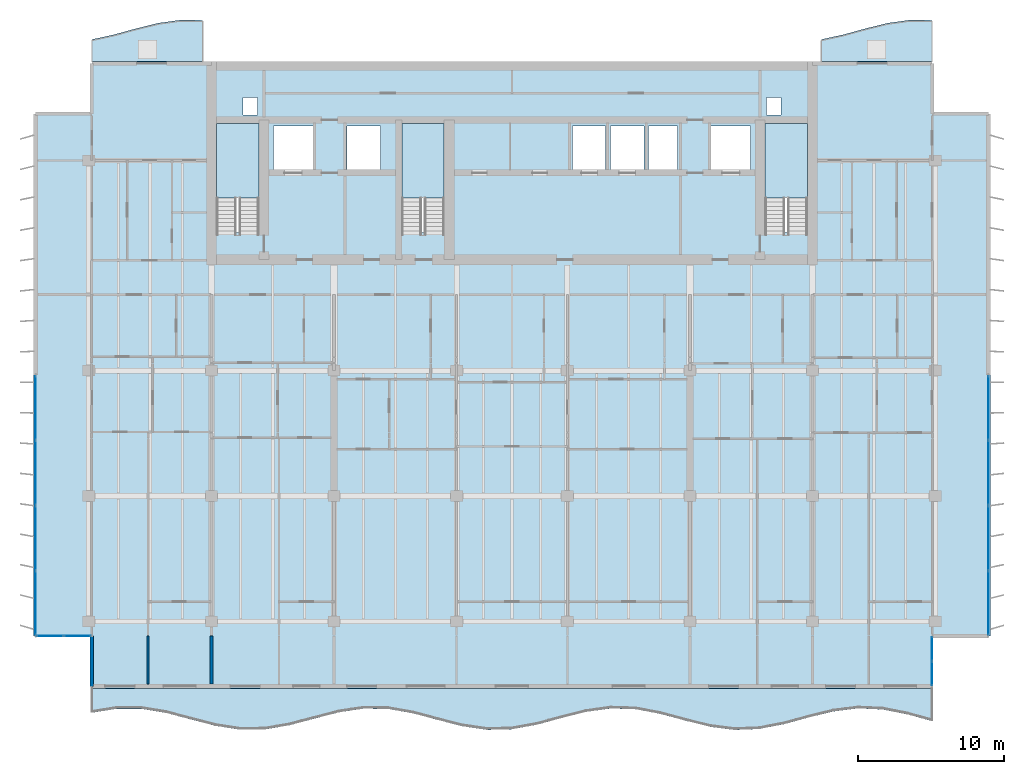
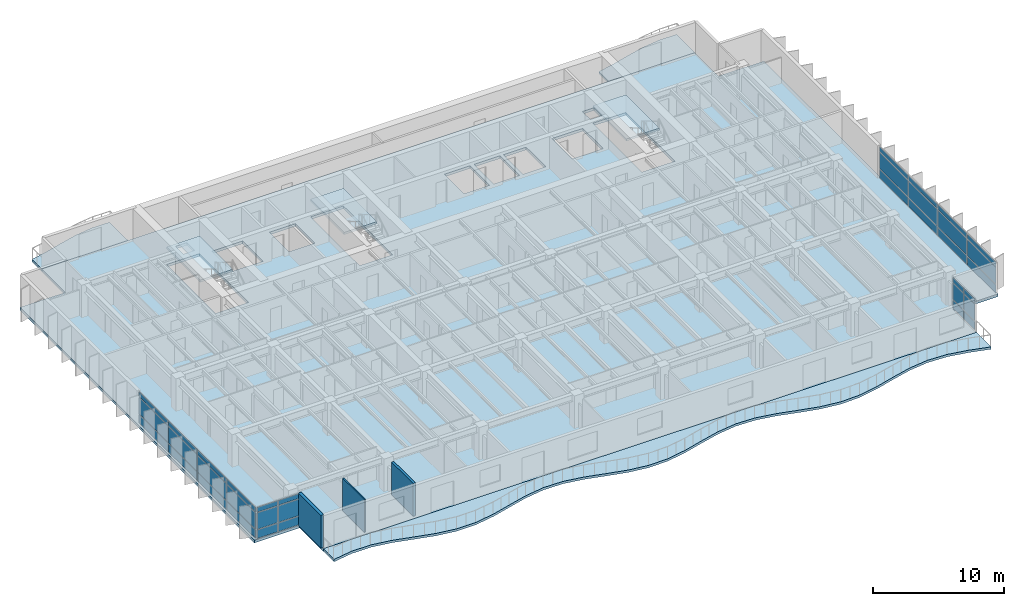
# One storey, part 7 of 18: 36 plates, 7 slabs, 3 walls, 7 elements without a shape of their own.
"""IFC4 building model written with IfcOpenShell, lengths in metres."""

from ifc_helpers import new_model, si_unit, direction, frame, frame_2d, origin, origin_2d, place, context, subcontext, project, spatial, polyline, rectangle, outline, extrude, material, layer, layer_set, type_object, element, aggregate, save


model = new_model("IFC4")

# Units and contexts
model_context = context("Model", 3, precision=1e-05, world=origin(), true_north=direction((0.0, 1.0)))
body_context = subcontext(model_context, "Body", "Model", "MODEL_VIEW")
ifc_project = project(units=[si_unit("LENGTHUNIT", "METRE"), si_unit("AREAUNIT", "SQUARE_METRE"), si_unit("VOLUMEUNIT", "CUBIC_METRE"), si_unit("PLANEANGLEUNIT", "RADIAN"), si_unit("MASSUNIT", "GRAM", prefix="KILO")], contexts=[model_context])

# Site, building, storey
site_placement = place(None, origin())
site = spatial("IfcSite", under=ifc_project, at=site_placement, CompositionType="ELEMENT")
building_placement = place(site_placement, origin())
building = spatial("IfcBuilding", under=site, at=building_placement, Name="Caelmar Bay Residences", CompositionType="ELEMENT")
storey_placement = place(building_placement, frame((0.0, 0.0, 177.0)))
storey = spatial("IfcBuildingStorey", under=building, at=storey_placement, Name="L49", CompositionType="ELEMENT", Elevation=177.0)

# Curtain wall, plates
ifc_material_1 = material(Name="Anodised bronze aluminium 6063-T6 and laminated glass", Category="aluminium")
ifc_layer_1 = layer(ifc_material_1, 0.179931640625)
ifc_layer_set_1 = layer_set([ifc_layer_1], Name="Anodised bronze aluminium 6063-T6 and laminated glass")
curtain_wall_type_1 = type_object("IfcCurtainWallType", Name="CW6-NTC", PredefinedType="NOTDEFINED", material=ifc_layer_set_1)
curtain_wall_1_placement = place(storey_placement, origin())
curtain_wall_1 = element("IfcCurtainWall", 1, at=curtain_wall_1_placement, inside=storey, type_object=curtain_wall_type_1, Name="CW6 curtain wall L49", PredefinedType="NOTDEFINED")
ifc_material_2 = material(Name="Bronze-tinted laminated low-E hurricane glass 28 mm", Category="glass")
ifc_layer_2 = layer(ifc_material_2, 0.028076171875)
ifc_layer_set_2 = layer_set([ifc_layer_2], Name="Bronze-tinted laminated low-E hurricane glass 28 mm")
plate_type = type_object("IfcPlateType", Name="CWP-GLZ28", PredefinedType="CURTAIN_PANEL", material=ifc_layer_set_2)
plate_1_placement = place(storey_placement, frame((7.232421875, 11.199951171875, 0.080078125), z_axis=(0.0, 0.0, 1.0), x_axis=(1.0, 0.0, 0.0)))
plate_1 = element("IfcPlate", 2, at=plate_1_placement, type_object=plate_type, Name="CW6 panel 1.1", PredefinedType="CURTAIN_PANEL", context=body_context, shape_type="SweptSolid", body=[
    extrude(rectangle(XDim=1.804931640625, YDim=0.028076171875, at=origin_2d()), origin(), (0.0, 0.0, 1.0), 0.780029296875),
])
plate_2_placement = place(storey_placement, frame((7.232421875, 11.199951171875, 0.93994140625), z_axis=(0.0, 0.0, 1.0), x_axis=(1.0, 0.0, 0.0)))
plate_2 = element("IfcPlate", 3, at=plate_2_placement, type_object=plate_type, Name="CW6 panel 1.2", PredefinedType="CURTAIN_PANEL", context=body_context, shape_type="SweptSolid", body=[
    extrude(rectangle(XDim=1.804931640625, YDim=0.028076171875, at=origin_2d()), origin(), (0.0, 0.0, 1.0), 1.52001953125),
])
plate_3_placement = place(storey_placement, frame((7.232421875, 11.199951171875, 2.5400390625), z_axis=(0.0, 0.0, 1.0), x_axis=(1.0, 0.0, 0.0)))
plate_3 = element("IfcPlate", 4, at=plate_3_placement, type_object=plate_type, Name="CW6 panel 1.3", PredefinedType="CURTAIN_PANEL", context=body_context, shape_type="SweptSolid", body=[
    extrude(rectangle(XDim=1.804931640625, YDim=0.028076171875, at=origin_2d()), origin(), (0.0, 0.0, 1.0), 0.429931640625),
])
plate_4_placement = place(storey_placement, frame((9.117431640625, 11.199951171875, 0.080078125), z_axis=(0.0, 0.0, 1.0), x_axis=(1.0, 0.0, 0.0)))
plate_4 = element("IfcPlate", 5, at=plate_4_placement, type_object=plate_type, Name="CW6 panel 2.1", PredefinedType="CURTAIN_PANEL", context=body_context, shape_type="SweptSolid", body=[
    extrude(rectangle(XDim=1.804931640625, YDim=0.028076171875, at=origin_2d()), origin(), (0.0, 0.0, 1.0), 0.780029296875),
])
plate_5_placement = place(storey_placement, frame((9.117431640625, 11.199951171875, 0.93994140625), z_axis=(0.0, 0.0, 1.0), x_axis=(1.0, 0.0, 0.0)))
plate_5 = element("IfcPlate", 6, at=plate_5_placement, type_object=plate_type, Name="CW6 panel 2.2", PredefinedType="CURTAIN_PANEL", context=body_context, shape_type="SweptSolid", body=[
    extrude(rectangle(XDim=1.804931640625, YDim=0.028076171875, at=origin_2d()), origin(), (0.0, 0.0, 1.0), 1.52001953125),
])
plate_6_placement = place(storey_placement, frame((9.117431640625, 11.199951171875, 2.5400390625), z_axis=(0.0, 0.0, 1.0), x_axis=(1.0, 0.0, 0.0)))
plate_6 = element("IfcPlate", 7, at=plate_6_placement, type_object=plate_type, Name="CW6 panel 2.3", PredefinedType="CURTAIN_PANEL", context=body_context, shape_type="SweptSolid", body=[
    extrude(rectangle(XDim=1.804931640625, YDim=0.028076171875, at=origin_2d()), origin(), (0.0, 0.0, 1.0), 0.429931640625),
])
aggregate(curtain_wall_1, [plate_1, plate_2, plate_3, plate_4, plate_5, plate_6])

curtain_wall_2_placement = place(storey_placement, origin())
curtain_wall_2 = element("IfcCurtainWall", 8, at=curtain_wall_2_placement, inside=storey, type_object=curtain_wall_type_1, Name="CW6 curtain wall L49", PredefinedType="NOTDEFINED")
plate_7_placement = place(storey_placement, frame((67.699951171875, 8.632568359375, 0.080078125), z_axis=(0.0, 0.0, 1.0), x_axis=(0.0, 1.0, 0.0)))
plate_7 = element("IfcPlate", 9, at=plate_7_placement, type_object=plate_type, Name="CW6 panel 1.1", PredefinedType="CURTAIN_PANEL", context=body_context, shape_type="SweptSolid", body=[
    extrude(rectangle(XDim=1.60498046875, YDim=0.028076171875, at=origin_2d()), origin(), (0.0, 0.0, 1.0), 0.780029296875),
])
plate_8_placement = place(storey_placement, frame((67.699951171875, 8.632568359375, 0.93994140625), z_axis=(0.0, 0.0, 1.0), x_axis=(0.0, 1.0, 0.0)))
plate_8 = element("IfcPlate", 10, at=plate_8_placement, type_object=plate_type, Name="CW6 panel 1.2", PredefinedType="CURTAIN_PANEL", context=body_context, shape_type="SweptSolid", body=[
    extrude(rectangle(XDim=1.60498046875, YDim=0.028076171875, at=origin_2d()), origin(), (0.0, 0.0, 1.0), 1.52001953125),
])
plate_9_placement = place(storey_placement, frame((67.699951171875, 8.632568359375, 2.5400390625), z_axis=(0.0, 0.0, 1.0), x_axis=(0.0, 1.0, 0.0)))
plate_9 = element("IfcPlate", 11, at=plate_9_placement, type_object=plate_type, Name="CW6 panel 1.3", PredefinedType="CURTAIN_PANEL", context=body_context, shape_type="SweptSolid", body=[
    extrude(rectangle(XDim=1.60498046875, YDim=0.028076171875, at=origin_2d()), origin(), (0.0, 0.0, 1.0), 0.429931640625),
])
plate_10_placement = place(storey_placement, frame((67.699951171875, 10.3173828125, 0.080078125), z_axis=(0.0, 0.0, 1.0), x_axis=(0.0, 1.0, 0.0)))
plate_10 = element("IfcPlate", 12, at=plate_10_placement, type_object=plate_type, Name="CW6 panel 2.1", PredefinedType="CURTAIN_PANEL", context=body_context, shape_type="SweptSolid", body=[
    extrude(rectangle(XDim=1.60498046875, YDim=0.028076171875, at=origin_2d()), origin(), (0.0, 0.0, 1.0), 0.780029296875),
])
plate_11_placement = place(storey_placement, frame((67.699951171875, 10.3173828125, 0.93994140625), z_axis=(0.0, 0.0, 1.0), x_axis=(0.0, 1.0, 0.0)))
plate_11 = element("IfcPlate", 13, at=plate_11_placement, type_object=plate_type, Name="CW6 panel 2.2", PredefinedType="CURTAIN_PANEL", context=body_context, shape_type="SweptSolid", body=[
    extrude(rectangle(XDim=1.60498046875, YDim=0.028076171875, at=origin_2d()), origin(), (0.0, 0.0, 1.0), 1.52001953125),
])
plate_12_placement = place(storey_placement, frame((67.699951171875, 10.3173828125, 2.5400390625), z_axis=(0.0, 0.0, 1.0), x_axis=(0.0, 1.0, 0.0)))
plate_12 = element("IfcPlate", 14, at=plate_12_placement, type_object=plate_type, Name="CW6 panel 2.3", PredefinedType="CURTAIN_PANEL", context=body_context, shape_type="SweptSolid", body=[
    extrude(rectangle(XDim=1.60498046875, YDim=0.028076171875, at=origin_2d()), origin(), (0.0, 0.0, 1.0), 0.429931640625),
])
aggregate(curtain_wall_2, [plate_7, plate_8, plate_9, plate_10, plate_11, plate_12])

ifc_layer_3 = layer(ifc_material_1, 0.179931640625)
ifc_layer_set_3 = layer_set([ifc_layer_3], Name="Anodised bronze aluminium 6063-T6 and laminated glass")
curtain_wall_type_2 = type_object("IfcCurtainWallType", Name="CW4-Z3", PredefinedType="NOTDEFINED", material=ifc_layer_set_3)
curtain_wall_3_placement = place(storey_placement, origin())
curtain_wall_3 = element("IfcCurtainWall", 15, at=curtain_wall_3_placement, inside=storey, type_object=curtain_wall_type_2, Name="CW4 curtain wall L49", PredefinedType="NOTDEFINED")
plate_13_placement = place(storey_placement, frame((6.25, 13.45751953125, 0.080078125), z_axis=(0.0, 0.0, 1.0), x_axis=(0.0, 1.0, 0.0)))
plate_13 = element("IfcPlate", 16, at=plate_13_placement, type_object=plate_type, Name="CW4 panel 1.1", PredefinedType="CURTAIN_PANEL", context=body_context, shape_type="SweptSolid", body=[
    extrude(rectangle(XDim=4.35498046875, YDim=0.028076171875, at=origin_2d()), origin(), (0.0, 0.0, 1.0), 0.780029296875),
])
plate_14_placement = place(storey_placement, frame((6.25, 13.45751953125, 0.93994140625), z_axis=(0.0, 0.0, 1.0), x_axis=(0.0, 1.0, 0.0)))
plate_14 = element("IfcPlate", 17, at=plate_14_placement, type_object=plate_type, Name="CW4 panel 1.2", PredefinedType="CURTAIN_PANEL", context=body_context, shape_type="SweptSolid", body=[
    extrude(rectangle(XDim=4.35498046875, YDim=0.028076171875, at=origin_2d()), origin(), (0.0, 0.0, 1.0), 1.52001953125),
])
plate_15_placement = place(storey_placement, frame((6.25, 13.45751953125, 2.5400390625), z_axis=(0.0, 0.0, 1.0), x_axis=(0.0, 1.0, 0.0)))
plate_15 = element("IfcPlate", 18, at=plate_15_placement, type_object=plate_type, Name="CW4 panel 1.3", PredefinedType="CURTAIN_PANEL", context=body_context, shape_type="SweptSolid", body=[
    extrude(rectangle(XDim=4.35498046875, YDim=0.028076171875, at=origin_2d()), origin(), (0.0, 0.0, 1.0), 0.429931640625),
])
plate_16_placement = place(storey_placement, frame((6.25, 17.91259765625, 0.080078125), z_axis=(0.0, 0.0, 1.0), x_axis=(0.0, 1.0, 0.0)))
plate_16 = element("IfcPlate", 19, at=plate_16_placement, type_object=plate_type, Name="CW4 panel 2.1", PredefinedType="CURTAIN_PANEL", context=body_context, shape_type="SweptSolid", body=[
    extrude(rectangle(XDim=4.39501953125, YDim=0.028076171875, at=origin_2d()), origin(), (0.0, 0.0, 1.0), 0.780029296875),
])
plate_17_placement = place(storey_placement, frame((6.25, 17.91259765625, 0.93994140625), z_axis=(0.0, 0.0, 1.0), x_axis=(0.0, 1.0, 0.0)))
plate_17 = element("IfcPlate", 20, at=plate_17_placement, type_object=plate_type, Name="CW4 panel 2.2", PredefinedType="CURTAIN_PANEL", context=body_context, shape_type="SweptSolid", body=[
    extrude(rectangle(XDim=4.39501953125, YDim=0.028076171875, at=origin_2d()), origin(), (0.0, 0.0, 1.0), 1.52001953125),
])
plate_18_placement = place(storey_placement, frame((6.25, 17.91259765625, 2.5400390625), z_axis=(0.0, 0.0, 1.0), x_axis=(0.0, 1.0, 0.0)))
plate_18 = element("IfcPlate", 21, at=plate_18_placement, type_object=plate_type, Name="CW4 panel 2.3", PredefinedType="CURTAIN_PANEL", context=body_context, shape_type="SweptSolid", body=[
    extrude(rectangle(XDim=4.39501953125, YDim=0.028076171875, at=origin_2d()), origin(), (0.0, 0.0, 1.0), 0.429931640625),
])
plate_19_placement = place(storey_placement, frame((6.25, 22.387451171875, 0.080078125), z_axis=(0.0, 0.0, 1.0), x_axis=(0.0, 1.0, 0.0)))
plate_19 = element("IfcPlate", 22, at=plate_19_placement, type_object=plate_type, Name="CW4 panel 3.1", PredefinedType="CURTAIN_PANEL", context=body_context, shape_type="SweptSolid", body=[
    extrude(rectangle(XDim=4.39501953125, YDim=0.028076171875, at=origin_2d()), origin(), (0.0, 0.0, 1.0), 0.780029296875),
])
plate_20_placement = place(storey_placement, frame((6.25, 22.387451171875, 0.93994140625), z_axis=(0.0, 0.0, 1.0), x_axis=(0.0, 1.0, 0.0)))
plate_20 = element("IfcPlate", 23, at=plate_20_placement, type_object=plate_type, Name="CW4 panel 3.2", PredefinedType="CURTAIN_PANEL", context=body_context, shape_type="SweptSolid", body=[
    extrude(rectangle(XDim=4.39501953125, YDim=0.028076171875, at=origin_2d()), origin(), (0.0, 0.0, 1.0), 1.52001953125),
])
plate_21_placement = place(storey_placement, frame((6.25, 22.387451171875, 2.5400390625), z_axis=(0.0, 0.0, 1.0), x_axis=(0.0, 1.0, 0.0)))
plate_21 = element("IfcPlate", 24, at=plate_21_placement, type_object=plate_type, Name="CW4 panel 3.3", PredefinedType="CURTAIN_PANEL", context=body_context, shape_type="SweptSolid", body=[
    extrude(rectangle(XDim=4.39501953125, YDim=0.028076171875, at=origin_2d()), origin(), (0.0, 0.0, 1.0), 0.429931640625),
])
plate_22_placement = place(storey_placement, frame((6.25, 26.842529296875, 0.080078125), z_axis=(0.0, 0.0, 1.0), x_axis=(0.0, 1.0, 0.0)))
plate_22 = element("IfcPlate", 25, at=plate_22_placement, type_object=plate_type, Name="CW4 panel 4.1", PredefinedType="CURTAIN_PANEL", context=body_context, shape_type="SweptSolid", body=[
    extrude(rectangle(XDim=4.35498046875, YDim=0.028076171875, at=origin_2d()), origin(), (0.0, 0.0, 1.0), 0.780029296875),
])
plate_23_placement = place(storey_placement, frame((6.25, 26.842529296875, 0.93994140625), z_axis=(0.0, 0.0, 1.0), x_axis=(0.0, 1.0, 0.0)))
plate_23 = element("IfcPlate", 26, at=plate_23_placement, type_object=plate_type, Name="CW4 panel 4.2", PredefinedType="CURTAIN_PANEL", context=body_context, shape_type="SweptSolid", body=[
    extrude(rectangle(XDim=4.35498046875, YDim=0.028076171875, at=origin_2d()), origin(), (0.0, 0.0, 1.0), 1.52001953125),
])
plate_24_placement = place(storey_placement, frame((6.25, 26.842529296875, 2.5400390625), z_axis=(0.0, 0.0, 1.0), x_axis=(0.0, 1.0, 0.0)))
plate_24 = element("IfcPlate", 27, at=plate_24_placement, type_object=plate_type, Name="CW4 panel 4.3", PredefinedType="CURTAIN_PANEL", context=body_context, shape_type="SweptSolid", body=[
    extrude(rectangle(XDim=4.35498046875, YDim=0.028076171875, at=origin_2d()), origin(), (0.0, 0.0, 1.0), 0.429931640625),
])
aggregate(curtain_wall_3, [plate_13, plate_14, plate_15, plate_16, plate_17, plate_18, plate_19, plate_20, plate_21, plate_22, plate_23, plate_24])

curtain_wall_4_placement = place(storey_placement, origin())
curtain_wall_4 = element("IfcCurtainWall", 28, at=curtain_wall_4_placement, inside=storey, type_object=curtain_wall_type_2, Name="CW4 curtain wall L49", PredefinedType="NOTDEFINED")
plate_25_placement = place(storey_placement, frame((71.550048828125, 26.842529296875, 0.080078125), z_axis=(0.0, 0.0, 1.0), x_axis=(0.0, -1.0, 0.0)))
plate_25 = element("IfcPlate", 29, at=plate_25_placement, type_object=plate_type, Name="CW4 panel 1.1", PredefinedType="CURTAIN_PANEL", context=body_context, shape_type="SweptSolid", body=[
    extrude(rectangle(XDim=4.35498046875, YDim=0.028076171875, at=origin_2d()), origin(), (0.0, 0.0, 1.0), 0.780029296875),
])
plate_26_placement = place(storey_placement, frame((71.550048828125, 26.842529296875, 0.93994140625), z_axis=(0.0, 0.0, 1.0), x_axis=(0.0, -1.0, 0.0)))
plate_26 = element("IfcPlate", 30, at=plate_26_placement, type_object=plate_type, Name="CW4 panel 1.2", PredefinedType="CURTAIN_PANEL", context=body_context, shape_type="SweptSolid", body=[
    extrude(rectangle(XDim=4.35498046875, YDim=0.028076171875, at=origin_2d()), origin(), (0.0, 0.0, 1.0), 1.52001953125),
])
plate_27_placement = place(storey_placement, frame((71.550048828125, 26.842529296875, 2.5400390625), z_axis=(0.0, 0.0, 1.0), x_axis=(0.0, -1.0, 0.0)))
plate_27 = element("IfcPlate", 31, at=plate_27_placement, type_object=plate_type, Name="CW4 panel 1.3", PredefinedType="CURTAIN_PANEL", context=body_context, shape_type="SweptSolid", body=[
    extrude(rectangle(XDim=4.35498046875, YDim=0.028076171875, at=origin_2d()), origin(), (0.0, 0.0, 1.0), 0.429931640625),
])
plate_28_placement = place(storey_placement, frame((71.550048828125, 22.387451171875, 0.080078125), z_axis=(0.0, 0.0, 1.0), x_axis=(0.0, -1.0, 0.0)))
plate_28 = element("IfcPlate", 32, at=plate_28_placement, type_object=plate_type, Name="CW4 panel 2.1", PredefinedType="CURTAIN_PANEL", context=body_context, shape_type="SweptSolid", body=[
    extrude(rectangle(XDim=4.39501953125, YDim=0.028076171875, at=origin_2d()), origin(), (0.0, 0.0, 1.0), 0.780029296875),
])
plate_29_placement = place(storey_placement, frame((71.550048828125, 22.387451171875, 0.93994140625), z_axis=(0.0, 0.0, 1.0), x_axis=(0.0, -1.0, 0.0)))
plate_29 = element("IfcPlate", 33, at=plate_29_placement, type_object=plate_type, Name="CW4 panel 2.2", PredefinedType="CURTAIN_PANEL", context=body_context, shape_type="SweptSolid", body=[
    extrude(rectangle(XDim=4.39501953125, YDim=0.028076171875, at=origin_2d()), origin(), (0.0, 0.0, 1.0), 1.52001953125),
])
plate_30_placement = place(storey_placement, frame((71.550048828125, 22.387451171875, 2.5400390625), z_axis=(0.0, 0.0, 1.0), x_axis=(0.0, -1.0, 0.0)))
plate_30 = element("IfcPlate", 34, at=plate_30_placement, type_object=plate_type, Name="CW4 panel 2.3", PredefinedType="CURTAIN_PANEL", context=body_context, shape_type="SweptSolid", body=[
    extrude(rectangle(XDim=4.39501953125, YDim=0.028076171875, at=origin_2d()), origin(), (0.0, 0.0, 1.0), 0.429931640625),
])
plate_31_placement = place(storey_placement, frame((71.550048828125, 17.91259765625, 0.080078125), z_axis=(0.0, 0.0, 1.0), x_axis=(0.0, -1.0, 0.0)))
plate_31 = element("IfcPlate", 35, at=plate_31_placement, type_object=plate_type, Name="CW4 panel 3.1", PredefinedType="CURTAIN_PANEL", context=body_context, shape_type="SweptSolid", body=[
    extrude(rectangle(XDim=4.39501953125, YDim=0.028076171875, at=origin_2d()), origin(), (0.0, 0.0, 1.0), 0.780029296875),
])
plate_32_placement = place(storey_placement, frame((71.550048828125, 17.91259765625, 0.93994140625), z_axis=(0.0, 0.0, 1.0), x_axis=(0.0, -1.0, 0.0)))
plate_32 = element("IfcPlate", 36, at=plate_32_placement, type_object=plate_type, Name="CW4 panel 3.2", PredefinedType="CURTAIN_PANEL", context=body_context, shape_type="SweptSolid", body=[
    extrude(rectangle(XDim=4.39501953125, YDim=0.028076171875, at=origin_2d()), origin(), (0.0, 0.0, 1.0), 1.52001953125),
])
plate_33_placement = place(storey_placement, frame((71.550048828125, 17.91259765625, 2.5400390625), z_axis=(0.0, 0.0, 1.0), x_axis=(0.0, -1.0, 0.0)))
plate_33 = element("IfcPlate", 37, at=plate_33_placement, type_object=plate_type, Name="CW4 panel 3.3", PredefinedType="CURTAIN_PANEL", context=body_context, shape_type="SweptSolid", body=[
    extrude(rectangle(XDim=4.39501953125, YDim=0.028076171875, at=origin_2d()), origin(), (0.0, 0.0, 1.0), 0.429931640625),
])
plate_34_placement = place(storey_placement, frame((71.550048828125, 13.45751953125, 0.080078125), z_axis=(0.0, 0.0, 1.0), x_axis=(0.0, -1.0, 0.0)))
plate_34 = element("IfcPlate", 38, at=plate_34_placement, type_object=plate_type, Name="CW4 panel 4.1", PredefinedType="CURTAIN_PANEL", context=body_context, shape_type="SweptSolid", body=[
    extrude(rectangle(XDim=4.35498046875, YDim=0.028076171875, at=origin_2d()), origin(), (0.0, 0.0, 1.0), 0.780029296875),
])
plate_35_placement = place(storey_placement, frame((71.550048828125, 13.45751953125, 0.93994140625), z_axis=(0.0, 0.0, 1.0), x_axis=(0.0, -1.0, 0.0)))
plate_35 = element("IfcPlate", 39, at=plate_35_placement, type_object=plate_type, Name="CW4 panel 4.2", PredefinedType="CURTAIN_PANEL", context=body_context, shape_type="SweptSolid", body=[
    extrude(rectangle(XDim=4.35498046875, YDim=0.028076171875, at=origin_2d()), origin(), (0.0, 0.0, 1.0), 1.52001953125),
])
plate_36_placement = place(storey_placement, frame((71.550048828125, 13.45751953125, 2.5400390625), z_axis=(0.0, 0.0, 1.0), x_axis=(0.0, -1.0, 0.0)))
plate_36 = element("IfcPlate", 40, at=plate_36_placement, type_object=plate_type, Name="CW4 panel 4.3", PredefinedType="CURTAIN_PANEL", context=body_context, shape_type="SweptSolid", body=[
    extrude(rectangle(XDim=4.35498046875, YDim=0.028076171875, at=origin_2d()), origin(), (0.0, 0.0, 1.0), 0.429931640625),
])
aggregate(curtain_wall_4, [plate_25, plate_26, plate_27, plate_28, plate_29, plate_30, plate_31, plate_32, plate_33, plate_34, plate_35, plate_36])

# Slabs
ifc_material_3 = material(Name="Concrete f'c 40 MPa (6,000 psi)", Category="concrete")
ifc_layer_4 = layer(ifc_material_3, 0.219970703125)
ifc_layer_set_4 = layer_set([ifc_layer_4], Name="Concrete f'c 40 MPa (6,000 psi)")
slab_type_1 = type_object("IfcSlabType", Name="SLB-BAL-220", PredefinedType="FLOOR", material=ifc_layer_set_4)
slab_1_placement = place(storey_placement, frame((0.0, 0.0, -0.219970703125)))
element("IfcSlab", 41, at=slab_1_placement, inside=storey, type_object=slab_type_1, Name="L49 Sinusoidal Tree-Balcony Slab south", PredefinedType="FLOOR", context=body_context, shape_type="SweptSolid", body=[
    extrude(outline(polyline([(10.10009765625, 5.94091796875), (11.794189453125, 6.214599609375), (13.48828125, 6.210693359375), (15.182373046875, 5.93115234375), (16.87646484375, 5.484130859375), (18.570556640625, 5.043212890625), (20.2646484375, 4.77978515625), (21.958740234375, 4.7958984375), (23.65283203125, 5.085205078125), (25.34716796875, 5.53564453125), (27.041259765625, 5.972412109375), (28.7353515625, 6.2255859375), (30.429443359375, 6.197265625), (32.12353515625, 5.898193359375), (33.817626953125, 5.444580078125), (35.51171875, 5.012451171875), (37.205810546875, 4.769775390625), (38.89990234375, 4.810302734375), (40.593994140625, 5.11865234375), (42.2880859375, 5.5751953125), (43.982421875, 6.002197265625), (45.676513671875, 6.234619140625), (47.37060546875, 6.181640625), (49.064697265625, 5.864013671875), (50.7587890625, 5.4052734375), (52.452880859375, 4.983154296875), (54.147216796875, 4.76171875), (55.84130859375, 4.826904296875), (57.535400390625, 5.1533203125), (59.2294921875, 5.614501953125), (60.923583984375, 6.031005859375), (62.61767578125, 6.241455078125), (64.311767578125, 6.164306640625), (66.005859375, 5.8291015625), (67.699951171875, 5.3662109375), (67.699951171875, 7.60009765625), (10.10009765625, 7.60009765625), (10.10009765625, 5.94091796875)])), origin(), (0.0, 0.0, 1.0), 0.219970703125),
])
slab_2_placement = place(storey_placement, frame((0.0, 0.0, -0.219970703125)))
element("IfcSlab", 42, at=slab_2_placement, inside=storey, type_object=slab_type_1, Name="L49 Sinusoidal Tree-Balcony Slab north_west", PredefinedType="FLOOR", context=body_context, shape_type="SweptSolid", body=[
    extrude(outline(polyline([(10.10009765625, 50.60009765625), (17.699951171875, 50.60009765625), (17.699951171875, 53.40966796875), (16.179931640625, 53.4287109375), (14.659912109375, 53.21826171875), (13.139892578125, 52.844970703125), (11.6201171875, 52.426025390625), (10.10009765625, 52.09326171875), (10.10009765625, 50.60009765625)])), origin(), (0.0, 0.0, 1.0), 0.219970703125),
])
slab_3_placement = place(storey_placement, frame((0.0, 0.0, -0.219970703125)))
element("IfcSlab", 43, at=slab_3_placement, inside=storey, type_object=slab_type_1, Name="L49 Sinusoidal Tree-Balcony Slab north_east", PredefinedType="FLOOR", context=body_context, shape_type="SweptSolid", body=[
    extrude(outline(polyline([(60.10009765625, 50.60009765625), (67.699951171875, 50.60009765625), (67.699951171875, 53.40966796875), (66.179931640625, 53.4287109375), (64.659912109375, 53.21826171875), (63.139892578125, 52.844970703125), (61.6201171875, 52.426025390625), (60.10009765625, 52.09326171875), (60.10009765625, 50.60009765625)])), origin(), (0.0, 0.0, 1.0), 0.219970703125),
])

# Stair, slab
stair_type = type_object("IfcStairType", Name="ST-TYP-165", PredefinedType="HALF_TURN_STAIR", material=ifc_material_3)
stair_1_placement = place(storey_placement, origin())
stair_1 = element("IfcStair", 44, at=stair_1_placement, inside=storey, type_object=stair_type, Name="L49 West Smokeproof Exit Stair ST1", PredefinedType="HALF_TURN_STAIR")
ifc_layer_5 = layer(ifc_material_3, 0.199951171875)
ifc_layer_set_5 = layer_set([ifc_layer_5], Name="Concrete f'c 40 MPa (6,000 psi)")
slab_type_2 = type_object("IfcSlabType", Name="SLB-LND-200", PredefinedType="LANDING", material=ifc_layer_set_5)
slab_4_placement = place(storey_placement, frame((0.0, 0.0, 1.449951171875)))
slab_4 = element("IfcSlab", 45, at=slab_4_placement, type_object=slab_type_2, Name="ST1 landing 1", PredefinedType="LANDING", context=body_context, shape_type="SweptSolid", body=[
    extrude(outline(polyline([(21.550048828125, 41.219970703125), (21.550048828125, 46.35009765625), (18.64990234375, 46.35009765625), (18.64990234375, 41.219970703125), (21.550048828125, 41.219970703125)])), origin(), (0.0, 0.0, 1.0), 0.199951171875),
])
aggregate(stair_1, [slab_4])

stair_2_placement = place(storey_placement, origin())
stair_2 = element("IfcStair", 46, at=stair_2_placement, inside=storey, type_object=stair_type, Name="L49 East Smokeproof Exit Stair ST2", PredefinedType="HALF_TURN_STAIR")
slab_5_placement = place(storey_placement, frame((0.0, 0.0, 1.449951171875)))
slab_5 = element("IfcSlab", 47, at=slab_5_placement, type_object=slab_type_2, Name="ST2 landing 1", PredefinedType="LANDING", context=body_context, shape_type="SweptSolid", body=[
    extrude(outline(polyline([(59.14990234375, 41.219970703125), (59.14990234375, 46.35009765625), (56.25, 46.35009765625), (56.25, 41.219970703125), (59.14990234375, 41.219970703125)])), origin(), (0.0, 0.0, 1.0), 0.199951171875),
])
aggregate(stair_2, [slab_5])

stair_3_placement = place(storey_placement, origin())
stair_3 = element("IfcStair", 48, at=stair_3_placement, inside=storey, type_object=stair_type, Name="L49 Central Smokeproof Exit Stair ST3", PredefinedType="HALF_TURN_STAIR")
slab_6_placement = place(storey_placement, frame((0.0, 0.0, 1.449951171875)))
slab_6 = element("IfcSlab", 49, at=slab_6_placement, type_object=slab_type_2, Name="ST3 landing 1", PredefinedType="LANDING", context=body_context, shape_type="SweptSolid", body=[
    extrude(outline(polyline([(34.25, 41.219970703125), (34.25, 46.35009765625), (31.35009765625, 46.35009765625), (31.35009765625, 41.219970703125), (34.25, 41.219970703125)])), origin(), (0.0, 0.0, 1.0), 0.199951171875),
])
aggregate(stair_3, [slab_6])

# Slab
ifc_layer_6 = layer(ifc_material_3, 0.25)
ifc_layer_set_6 = layer_set([ifc_layer_6], Name="Concrete f'c 40 MPa (6,000 psi)")
slab_type_3 = type_object("IfcSlabType", Name="SLB-RES-250", PredefinedType="FLOOR", material=ifc_layer_set_6)
slab_7_placement = place(storey_placement, frame((0.0, 0.0, -0.25)))
element("IfcSlab", 50, at=slab_7_placement, inside=storey, type_object=slab_type_3, Name="L49 Structural Floor Slab", PredefinedType="FLOOR", context=body_context, shape_type="SweptSolid", body=[
    extrude(outline(polyline([(10.10009765625, 7.60009765625), (67.699951171875, 7.60009765625), (67.699951171875, 11.199951171875), (71.699951171875, 11.199951171875), (71.699951171875, 47.0), (67.699951171875, 47.0), (67.699951171875, 50.60009765625), (10.10009765625, 50.60009765625), (10.10009765625, 47.0), (6.10009765625, 47.0), (6.10009765625, 11.199951171875), (10.10009765625, 11.199951171875), (10.10009765625, 7.60009765625)]), holes=[polyline([(18.64990234375, 38.85009765625), (21.550048828125, 38.85009765625), (21.550048828125, 46.35009765625), (18.64990234375, 46.35009765625), (18.64990234375, 38.85009765625)]), polyline([(56.25, 38.85009765625), (59.14990234375, 38.85009765625), (59.14990234375, 46.35009765625), (56.25, 46.35009765625), (56.25, 38.85009765625)]), polyline([(31.35009765625, 38.85009765625), (34.25, 38.85009765625), (34.25, 46.35009765625), (31.35009765625, 46.35009765625), (31.35009765625, 38.85009765625)]), polyline([(22.550048828125, 43.050048828125), (25.25, 43.050048828125), (25.25, 46.14990234375), (22.550048828125, 46.14990234375), (22.550048828125, 43.050048828125)]), polyline([(52.550048828125, 43.050048828125), (55.25, 43.050048828125), (55.25, 46.14990234375), (52.550048828125, 46.14990234375), (52.550048828125, 43.050048828125)]), polyline([(43.050048828125, 43.14990234375), (45.300048828125, 43.14990234375), (45.300048828125, 46.14990234375), (43.050048828125, 46.14990234375), (43.050048828125, 43.14990234375)]), polyline([(45.64990234375, 43.14990234375), (47.949951171875, 43.14990234375), (47.949951171875, 46.14990234375), (45.64990234375, 46.14990234375), (45.64990234375, 43.14990234375)]), polyline([(48.25, 43.14990234375), (50.25, 43.14990234375), (50.25, 46.14990234375), (48.25, 46.14990234375), (48.25, 43.14990234375)]), polyline([(27.60009765625, 43.14990234375), (29.89990234375, 43.14990234375), (29.89990234375, 46.14990234375), (27.60009765625, 46.14990234375), (27.60009765625, 43.14990234375)]), polyline([(20.449951171875, 46.89990234375), (21.449951171875, 46.89990234375), (21.449951171875, 48.10009765625), (20.449951171875, 48.10009765625), (20.449951171875, 46.89990234375)]), polyline([(56.35009765625, 46.89990234375), (57.35009765625, 46.89990234375), (57.35009765625, 48.10009765625), (56.35009765625, 48.10009765625), (56.35009765625, 46.89990234375)])]), origin(), (0.0, 0.0, 1.0), 0.25),
])

# Walls
ifc_material_4 = material(Name="Precast concrete f'c 40 MPa (6,000 psi)", Category="concrete")
ifc_layer_7 = layer(ifc_material_4, 0.25)
ifc_layer_set_7 = layer_set([ifc_layer_7], Name="Precast concrete f'c 40 MPa (6,000 psi)")
wall_type_1 = type_object("IfcWallType", Name="W-EXT-250", PredefinedType="ELEMENTEDWALL", material=ifc_layer_set_7)
wall_1_placement = place(storey_placement, frame((10.10009765625, 11.199951171875, 0.0), z_axis=(0.0, 0.0, 1.0), x_axis=(0.0, -1.0, 0.0)))
element("IfcWall", 51, at=wall_1_placement, inside=storey, type_object=wall_type_1, Name="L49 SW Notch Return Wall", PredefinedType="ELEMENTEDWALL", context=body_context, shape_type="SweptSolid", body=[
    extrude(rectangle(XDim=3.449951171875, YDim=0.25, at=frame_2d((1.72509765625, 0.0))), origin(), (0.0, 0.0, 1.0), 3.050048828125),
])
ifc_material_5 = material(Name="Acoustic metal-stud gypsum partition 120 mm")
ifc_layer_8 = layer(ifc_material_5, 0.1201171875)
ifc_layer_set_8 = layer_set([ifc_layer_8], Name="Acoustic metal-stud gypsum partition 120 mm")
wall_type_2 = type_object("IfcWallType", Name="W-PRT-120", PredefinedType="PARTITIONING", material=ifc_layer_set_8)
wall_2_placement = place(storey_placement, frame((13.9541015625, 7.89501953125, 0.0), z_axis=(0.0, 0.0, 1.0), x_axis=(0.0, 1.0, 0.0)))
element("IfcWall", 52, at=wall_2_placement, inside=storey, type_object=wall_type_2, Name="L49 Partition Wall V010", PredefinedType="PARTITIONING", context=body_context, shape_type="SweptSolid", body=[
    extrude(rectangle(XDim=3.304931640625, YDim=0.1201171875, at=frame_2d((1.65234375, 0.0))), origin(), (0.0, 0.0, 1.0), 3.050048828125),
])
ifc_material_6 = material(Name="Acoustic twin-stud fire-rated inter-tenancy partition 200 mm")
ifc_layer_9 = layer(ifc_material_6, 0.199951171875)
ifc_layer_set_9 = layer_set([ifc_layer_9], Name="Acoustic twin-stud fire-rated inter-tenancy partition 200 mm")
wall_type_3 = type_object("IfcWallType", Name="W-PTY-200", PredefinedType="PARTITIONING", material=ifc_layer_set_9)
wall_3_placement = place(storey_placement, frame((18.300048828125, 7.89501953125, 0.0), z_axis=(0.0, 0.0, 1.0), x_axis=(0.0, 1.0, 0.0)))
element("IfcWall", 53, at=wall_3_placement, inside=storey, type_object=wall_type_3, Name="L49 Partition Wall V017", PredefinedType="PARTITIONING", context=body_context, shape_type="SweptSolid", body=[
    extrude(rectangle(XDim=3.304931640625, YDim=0.199951171875, at=frame_2d((1.65234375, 0.0))), origin(), (0.0, 0.0, 1.0), 3.050048828125),
])

save(model, "model.ifc")
